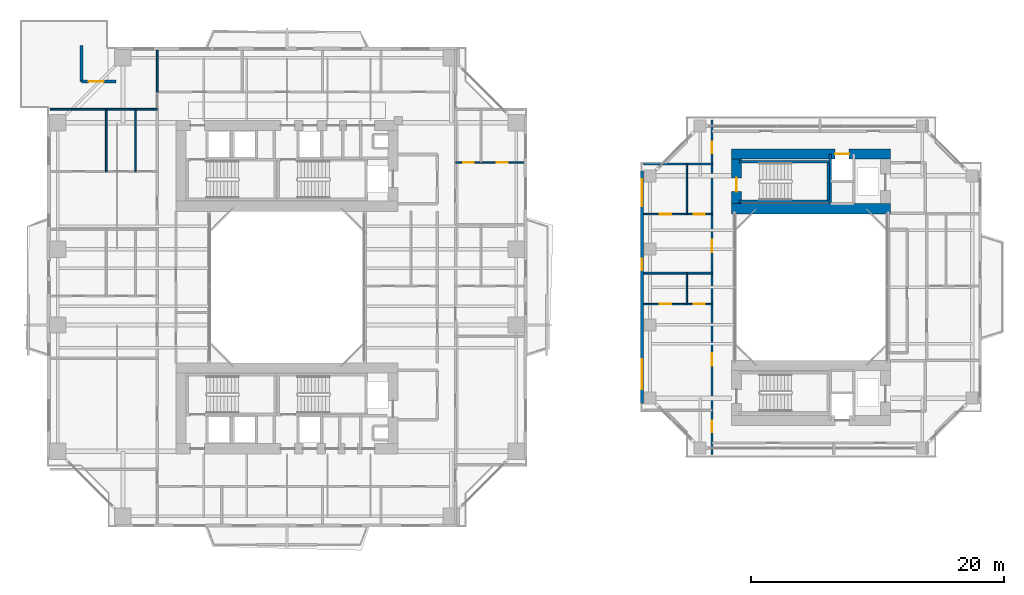
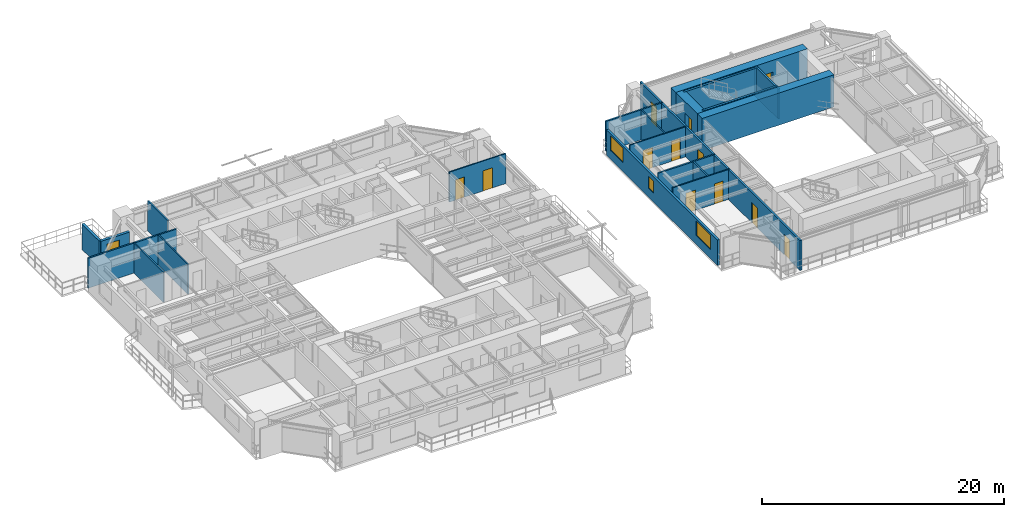
# One storey, part 16 of 24: 22 walls, 13 doors, 3 windows, 16 openings.
"""IFC4 building model written with IfcOpenShell, lengths in metres."""

from ifc_helpers import new_model, si_unit, direction, frame, frame_2d, origin, place, context, subcontext, project, spatial, rectangle, extrude, source, transform, mapped, material, layer, layer_set, type_object, element, fill, save


model = new_model("IFC4")

# Units and contexts
model_context = context("Model", 3, precision=1e-05, world=origin(), true_north=direction((0.0, 1.0)))
body_context = subcontext(model_context, "Body", "Model", "MODEL_VIEW")
ifc_project = project(units=[si_unit("LENGTHUNIT", "METRE"), si_unit("AREAUNIT", "SQUARE_METRE"), si_unit("VOLUMEUNIT", "CUBIC_METRE"), si_unit("PLANEANGLEUNIT", "RADIAN"), si_unit("MASSUNIT", "GRAM", prefix="KILO"), si_unit("THERMODYNAMICTEMPERATUREUNIT", "KELVIN"), si_unit("POWERUNIT", "WATT")], contexts=[model_context])

# Site, building, storey
site_placement = place(None, origin())
site = spatial("IfcSite", under=ifc_project, at=site_placement, CompositionType="ELEMENT")
building_placement = place(site_placement, origin())
building = spatial("IfcBuilding", under=site, at=building_placement, Name="Qiaomeng Ring Towers", CompositionType="ELEMENT")
storey_placement = place(building_placement, frame((0.0, 0.0, 42.5)))
storey = spatial("IfcBuildingStorey", under=building, at=storey_placement, Name="L11", CompositionType="ELEMENT", Elevation=42.5)

# Wall, opening, door
ifc_material_1 = material(Name="Precast concrete C40", Category="concrete")
ifc_layer_1 = layer(ifc_material_1, 0.25, Name="Precast concrete C40")
ifc_layer_set_1 = layer_set([ifc_layer_1], Name="Precast concrete C40")
wall_type_1 = type_object("IfcWallType", Name="ARC-WL-EW1", PredefinedType="STANDARD", material=ifc_layer_set_1)
wall_1_placement = place(storey_placement, frame((2.72509765625, 39.27490234375, 0.0), z_axis=(0.0, 0.0, 1.0), x_axis=(1.0, 0.0, 0.0)))
wall_1 = element("IfcWall", 1, at=wall_1_placement, inside=storey, type_object=wall_type_1, Name="L11 Spiral Terrace Wall NW", PredefinedType="STANDARD", context=body_context, shape_type="SweptSolid", body=[
    extrude(rectangle(XDim=2.724853515625, YDim=0.25, at=frame_2d((1.3623046875, 0.0))), origin(), (0.0, 0.0, 1.0), 2.570068359375),
])
opening_1_placement = place(wall_1_placement, frame((0.550048828125, 0.0, 0.0)))
opening_1 = element("IfcOpeningElement", 2, at=opening_1_placement, cuts=wall_1, Name="Opening BD1", PredefinedType="OPENING", context=body_context, shape_type="SweptSolid", body=[
    extrude(rectangle(XDim=1.199951171875, YDim=2.10009765625, at=frame_2d((0.60009765625, 1.050048828125))), frame((0.0, 0.135009765625, 0.0), z_axis=(0.0, -1.0, 0.0), x_axis=(1.0, 0.0, 0.0)), (0.0, 0.0, 1.0), 0.27001953125),
])
ifc_material_2 = material(Name="Low-E dark-grey laminated double glazing", Category="glass")
door_type_1 = type_object("IfcDoorType", Name="ARC-DR-BD1", OperationType="NOTDEFINED", PredefinedType="DOOR", material=ifc_material_2)
shared_shape_1 = source(origin(), body_context, "Body", "SweptSolid", [
    extrude(rectangle(XDim=1.199951171875, YDim=2.10009765625, at=frame_2d((0.60009765625, 1.050048828125))), frame((0.0, 0.02490234375, 0.0), z_axis=(0.0, -1.0, 0.0), x_axis=(1.0, 0.0, 0.0)), (0.0, 0.0, 1.0), 0.050048828125),
])
door_1_placement = place(opening_1_placement, frame((1.199951171875, 0.0, 0.0), z_axis=(0.0, 0.0, 1.0), x_axis=(-1.0, 0.0, 0.0)))
door_1 = element("IfcDoor", 3, at=door_1_placement, inside=storey, type_object=door_type_1, Name="L11 Spiral Sky Terrace Door NW", OperationType="SINGLE_SWING_LEFT", OverallHeight=2.10009765625, OverallWidth=1.199951171875, PredefinedType="DOOR", context=body_context, shape_type="MappedRepresentation", body=[
    mapped(shared_shape_1, transform((0.0, 0.0, 0.0), x_axis=(1.0, 0.0, 0.0), y_axis=(0.0, 1.0, 0.0), z_axis=(0.0, 0.0, 1.0), scale=1.0)),
])
fill(opening_1, door_1)

# Wall
wall_2_placement = place(storey_placement, frame((2.72509765625, 39.27490234375, 0.0), z_axis=(0.0, 0.0, 1.0), x_axis=(0.0, 1.0, 0.0)))
element("IfcWall", 4, at=wall_2_placement, inside=storey, type_object=wall_type_1, Name="L11 Spiral Terrace Return Wall NW", PredefinedType="STANDARD", context=body_context, shape_type="SweptSolid", body=[
    extrude(rectangle(XDim=2.875, YDim=0.25, at=frame_2d((1.4375, 0.0))), origin(), (0.0, 0.0, 1.0), 2.570068359375),
])

# Wall, openings, windows
ifc_layer_2 = layer(ifc_material_1, 0.219970703125, Name="Precast concrete C40")
ifc_layer_set_2 = layer_set([ifc_layer_2], Name="Precast concrete C40")
wall_type_2 = type_object("IfcWallType", Name="ARC-WL-EW2", PredefinedType="STANDARD", material=ifc_layer_set_2)
wall_3_placement = place(storey_placement, frame((47.110107421875, 13.800048828125, 0.0), z_axis=(0.0, 0.0, 1.0), x_axis=(0.0, 1.0, 0.0)))
wall_3 = element("IfcWall", 5, at=wall_3_placement, inside=storey, type_object=wall_type_2, Name="L11 Companion West Wall", PredefinedType="STANDARD", context=body_context, shape_type="SweptSolid", body=[
    extrude(rectangle(XDim=18.39990234375, YDim=0.219970703125, at=frame_2d((9.199951171875, 0.0))), origin(), (0.0, 0.0, 1.0), 2.570068359375),
])
opening_2_placement = place(wall_3_placement, frame((1.10009765625, 0.0, 0.89990234375)))
opening_2 = element("IfcOpeningElement", 6, at=opening_2_placement, cuts=wall_3, Name="Opening WN6", PredefinedType="OPENING", context=body_context, shape_type="SweptSolid", body=[
    extrude(rectangle(XDim=2.39990234375, YDim=1.47998046875, at=frame_2d((1.199951171875, 0.739990234375))), frame((0.0, 0.119873046875, 0.0), z_axis=(0.0, -1.0, 0.0), x_axis=(1.0, 0.0, 0.0)), (0.0, 0.0, 1.0), 0.239990234375),
])
opening_3_placement = place(wall_3_placement, frame((15.6201171875, 0.0, 0.89990234375)))
opening_3 = element("IfcOpeningElement", 7, at=opening_3_placement, cuts=wall_3, Name="Opening WN4", PredefinedType="OPENING", context=body_context, shape_type="SweptSolid", body=[
    extrude(rectangle(XDim=2.10009765625, YDim=1.5, at=frame_2d((1.050048828125, 0.75))), frame((0.0, 0.119873046875, 0.0), z_axis=(0.0, -1.0, 0.0), x_axis=(1.0, 0.0, 0.0)), (0.0, 0.0, 1.0), 0.239990234375),
])
opening_4_placement = place(wall_3_placement, frame((10.534912109375, 0.0, 0.89990234375)))
opening_4 = element("IfcOpeningElement", 8, at=opening_4_placement, cuts=wall_3, Name="Opening WN5", PredefinedType="OPENING", context=body_context, shape_type="SweptSolid", body=[
    extrude(rectangle(XDim=0.89990234375, YDim=1.199951171875, at=frame_2d((0.449951171875, 0.60009765625))), frame((0.0, 0.119873046875, 0.0), z_axis=(0.0, -1.0, 0.0), x_axis=(1.0, 0.0, 0.0)), (0.0, 0.0, 1.0), 0.239990234375),
])
window_type_1 = type_object("IfcWindowType", Name="ARC-WN-4", PartitioningType="TRIPLE_PANEL_VERTICAL", PredefinedType="WINDOW", material=ifc_material_2)
shared_shape_2 = source(origin(), body_context, "Body", "SweptSolid", [
    extrude(rectangle(XDim=2.10009765625, YDim=1.5, at=frame_2d((1.050048828125, 0.75))), frame((0.0, 0.030029296875, 0.0), z_axis=(0.0, -1.0, 0.0), x_axis=(1.0, 0.0, 0.0)), (0.0, 0.0, 1.0), 0.06005859375),
])
window_1_placement = place(opening_3_placement, origin())
window_1 = element("IfcWindow", 9, at=window_1_placement, inside=storey, type_object=window_type_1, Name="L11 Exterior Window WN4", OverallHeight=1.5, OverallWidth=2.10009765625, PartitioningType="TRIPLE_PANEL_VERTICAL", PredefinedType="WINDOW", context=body_context, shape_type="MappedRepresentation", body=[
    mapped(shared_shape_2, transform((0.0, 0.0, 0.0), x_axis=(1.0, 0.0, 0.0), y_axis=(0.0, 1.0, 0.0), z_axis=(0.0, 0.0, 1.0), scale=1.0)),
])
fill(opening_3, window_1)
window_type_2 = type_object("IfcWindowType", Name="ARC-WN-6", PartitioningType="TRIPLE_PANEL_VERTICAL", PredefinedType="WINDOW", material=ifc_material_2)
shared_shape_3 = source(origin(), body_context, "Body", "SweptSolid", [
    extrude(rectangle(XDim=2.39990234375, YDim=1.47998046875, at=frame_2d((1.199951171875, 0.739990234375))), frame((0.0, 0.030029296875, 0.0), z_axis=(0.0, -1.0, 0.0), x_axis=(1.0, 0.0, 0.0)), (0.0, 0.0, 1.0), 0.06005859375),
])
window_2_placement = place(opening_2_placement, origin())
window_2 = element("IfcWindow", 10, at=window_2_placement, inside=storey, type_object=window_type_2, Name="L11 Exterior Window WN6", OverallHeight=1.47998046875, OverallWidth=2.39990234375, PartitioningType="TRIPLE_PANEL_VERTICAL", PredefinedType="WINDOW", context=body_context, shape_type="MappedRepresentation", body=[
    mapped(shared_shape_3, transform((0.0, 0.0, 0.0), x_axis=(1.0, 0.0, 0.0), y_axis=(0.0, 1.0, 0.0), z_axis=(0.0, 0.0, 1.0), scale=1.0)),
])
fill(opening_2, window_2)
window_type_3 = type_object("IfcWindowType", Name="ARC-WN-5", PartitioningType="SINGLE_PANEL", PredefinedType="WINDOW", material=ifc_material_2)
shared_shape_4 = source(origin(), body_context, "Body", "SweptSolid", [
    extrude(rectangle(XDim=0.89990234375, YDim=1.199951171875, at=frame_2d((0.449951171875, 0.60009765625))), frame((0.0, 0.030029296875, 0.0), z_axis=(0.0, -1.0, 0.0), x_axis=(1.0, 0.0, 0.0)), (0.0, 0.0, 1.0), 0.06005859375),
])
window_3_placement = place(opening_4_placement, origin())
window_3 = element("IfcWindow", 11, at=window_3_placement, inside=storey, type_object=window_type_3, Name="L11 Exterior Window WN5", OverallHeight=1.199951171875, OverallWidth=0.89990234375, PartitioningType="SINGLE_PANEL", PredefinedType="WINDOW", context=body_context, shape_type="MappedRepresentation", body=[
    mapped(shared_shape_4, transform((0.0, 0.0, 0.0), x_axis=(1.0, 0.0, 0.0), y_axis=(0.0, 1.0, 0.0), z_axis=(0.0, 0.0, 1.0), scale=1.0)),
])
fill(opening_4, window_3)

# Wall, openings, doors
ifc_material_3 = material(Name="Autoclaved aerated concrete block", Category="concrete")
ifc_layer_3 = layer(ifc_material_3, 0.179931640625, Name="Autoclaved aerated concrete block")
ifc_layer_set_3 = layer_set([ifc_layer_3], Name="Autoclaved aerated concrete block")
wall_type_3 = type_object("IfcWallType", Name="ARC-WL-PW2", PredefinedType="PARTITIONING", material=ifc_layer_set_3)
wall_4_placement = place(storey_placement, frame((52.64990234375, 9.75, 0.0), z_axis=(0.0, 0.0, 1.0), x_axis=(0.0, 1.0, 0.0)))
wall_4 = element("IfcWall", 12, at=wall_4_placement, inside=storey, type_object=wall_type_3, Name="L11 Interior Wall PW2", PredefinedType="PARTITIONING", context=body_context, shape_type="SweptSolid", body=[
    extrude(rectangle(XDim=26.5, YDim=0.179931640625, at=frame_2d((13.25, 0.0))), origin(), (0.0, 0.0, 1.0), 3.030029296875),
])
opening_5_placement = place(wall_4_placement, frame((23.85009765625, 0.0, 0.0)))
opening_5 = element("IfcOpeningElement", 13, at=opening_5_placement, cuts=wall_4, Name="Opening ID1", PredefinedType="OPENING", context=body_context, shape_type="SweptSolid", body=[
    extrude(rectangle(XDim=0.89990234375, YDim=2.050048828125, at=frame_2d((0.449951171875, 1.02490234375))), frame((0.0, 0.099853515625, 0.0), z_axis=(0.0, -1.0, 0.0), x_axis=(1.0, 0.0, 0.0)), (0.0, 0.0, 1.0), 0.199951171875),
])
opening_6_placement = place(wall_4_placement, frame((1.75, 0.0, 0.0)))
opening_6 = element("IfcOpeningElement", 14, at=opening_6_placement, cuts=wall_4, Name="Opening ID1", PredefinedType="OPENING", context=body_context, shape_type="SweptSolid", body=[
    extrude(rectangle(XDim=0.89990234375, YDim=2.050048828125, at=frame_2d((0.449951171875, 1.02490234375))), frame((0.0, 0.099853515625, 0.0), z_axis=(0.0, -1.0, 0.0), x_axis=(1.0, 0.0, 0.0)), (0.0, 0.0, 1.0), 0.199951171875),
])
opening_7_placement = place(wall_4_placement, frame((7.014892578125, 0.0, 0.0)))
opening_7 = element("IfcOpeningElement", 15, at=opening_7_placement, cuts=wall_4, Name="Opening FD4", PredefinedType="OPENING", context=body_context, shape_type="SweptSolid", body=[
    extrude(rectangle(XDim=1.0, YDim=2.050048828125, at=frame_2d((0.5, 1.02490234375))), frame((0.0, 0.099853515625, 0.0), z_axis=(0.0, -1.0, 0.0), x_axis=(1.0, 0.0, 0.0)), (0.0, 0.0, 1.0), 0.199951171875),
])
opening_8_placement = place(wall_4_placement, frame((15.9951171875, 0.0, 0.0)))
opening_8 = element("IfcOpeningElement", 16, at=opening_8_placement, cuts=wall_4, Name="Opening FD4", PredefinedType="OPENING", context=body_context, shape_type="SweptSolid", body=[
    extrude(rectangle(XDim=1.0, YDim=2.050048828125, at=frame_2d((0.5, 1.02490234375))), frame((0.0, 0.099853515625, 0.0), z_axis=(0.0, -1.0, 0.0), x_axis=(1.0, 0.0, 0.0)), (0.0, 0.0, 1.0), 0.199951171875),
])
ifc_material_4 = material(Name="Engineered fire-rated oak timber", Category="wood")
door_type_2 = type_object("IfcDoorType", Name="ARC-DR-FD4", OperationType="NOTDEFINED", PredefinedType="DOOR", material=ifc_material_4)
shared_shape_5 = source(origin(), body_context, "Body", "SweptSolid", [
    extrude(rectangle(XDim=1.0, YDim=2.050048828125, at=frame_2d((0.5, 1.02490234375))), frame((0.0, 0.02490234375, 0.0), z_axis=(0.0, -1.0, 0.0), x_axis=(1.0, 0.0, 0.0)), (0.0, 0.0, 1.0), 0.050048828125),
])
door_2_placement = place(opening_7_placement, origin())
door_2 = element("IfcDoor", 17, at=door_2_placement, inside=storey, type_object=door_type_2, Name="L11 Door FD4", OperationType="SINGLE_SWING_RIGHT", OverallHeight=2.050048828125, OverallWidth=1.0, PredefinedType="DOOR", context=body_context, shape_type="MappedRepresentation", body=[
    mapped(shared_shape_5, transform((0.0, 0.0, 0.0), x_axis=(1.0, 0.0, 0.0), y_axis=(0.0, 1.0, 0.0), z_axis=(0.0, 0.0, 1.0), scale=1.0)),
])
fill(opening_7, door_2)
door_3_placement = place(opening_8_placement, origin())
door_3 = element("IfcDoor", 18, at=door_3_placement, inside=storey, type_object=door_type_2, Name="L11 Door FD4", OperationType="SINGLE_SWING_LEFT", OverallHeight=2.050048828125, OverallWidth=1.0, PredefinedType="DOOR", context=body_context, shape_type="MappedRepresentation", body=[
    mapped(shared_shape_5, transform((0.0, 0.0, 0.0), x_axis=(1.0, 0.0, 0.0), y_axis=(0.0, 1.0, 0.0), z_axis=(0.0, 0.0, 1.0), scale=1.0)),
])
fill(opening_8, door_3)
ifc_material_5 = material(Name="Engineered oak timber", Category="wood")
door_type_3 = type_object("IfcDoorType", Name="ARC-DR-ID1", OperationType="NOTDEFINED", PredefinedType="DOOR", material=ifc_material_5)
shared_shape_6 = source(origin(), body_context, "Body", "SweptSolid", [
    extrude(rectangle(XDim=0.89990234375, YDim=2.050048828125, at=frame_2d((0.449951171875, 1.02490234375))), frame((0.0, 0.02490234375, 0.0), z_axis=(0.0, -1.0, 0.0), x_axis=(1.0, 0.0, 0.0)), (0.0, 0.0, 1.0), 0.050048828125),
])
door_4_placement = place(opening_5_placement, origin())
door_4 = element("IfcDoor", 19, at=door_4_placement, inside=storey, type_object=door_type_3, Name="L11 Door ID1", OperationType="SINGLE_SWING_RIGHT", OverallHeight=2.050048828125, OverallWidth=0.89990234375, PredefinedType="DOOR", context=body_context, shape_type="MappedRepresentation", body=[
    mapped(shared_shape_6, transform((0.0, 0.0, 0.0), x_axis=(1.0, 0.0, 0.0), y_axis=(0.0, 1.0, 0.0), z_axis=(0.0, 0.0, 1.0), scale=1.0)),
])
fill(opening_5, door_4)
door_5_placement = place(opening_6_placement, origin())
door_5 = element("IfcDoor", 20, at=door_5_placement, inside=storey, type_object=door_type_3, Name="L11 Door ID1", OperationType="SINGLE_SWING_LEFT", OverallHeight=2.050048828125, OverallWidth=0.89990234375, PredefinedType="DOOR", context=body_context, shape_type="MappedRepresentation", body=[
    mapped(shared_shape_6, transform((0.0, 0.0, 0.0), x_axis=(1.0, 0.0, 0.0), y_axis=(0.0, 1.0, 0.0), z_axis=(0.0, 0.0, 1.0), scale=1.0)),
])
fill(opening_6, door_5)

# Walls
ifc_material_6 = material(Name="Gypsum fireboard steel-stud partition", Category="steel")
ifc_layer_4 = layer(ifc_material_6, 0.14990234375, Name="Gypsum fireboard steel-stud partition")
ifc_layer_set_4 = layer_set([ifc_layer_4], Name="Gypsum fireboard steel-stud partition")
wall_type_4 = type_object("IfcWallType", Name="ARC-WL-PW3", PredefinedType="PARTITIONING", material=ifc_layer_set_4)
wall_5_placement = place(storey_placement, frame((8.719970703125, 38.43994140625, 0.0), z_axis=(0.0, 0.0, 1.0), x_axis=(0.0, 1.0, 0.0)))
element("IfcWall", 21, at=wall_5_placement, inside=storey, type_object=wall_type_4, Name="L11 Interior Wall PW3", PredefinedType="PARTITIONING", context=body_context, shape_type="SweptSolid", body=[
    extrude(rectangle(XDim=3.31005859375, YDim=0.14990234375, at=frame_2d((1.655029296875, 0.0))), origin(), (0.0, 0.0, 1.0), 3.030029296875),
])
wall_6_placement = place(storey_placement, frame((0.25, 37.080078125, 0.0), z_axis=(0.0, 0.0, 1.0), x_axis=(1.0, 0.0, 0.0)))
element("IfcWall", 22, at=wall_6_placement, inside=storey, type_object=wall_type_4, Name="L11 Interior Wall PW3", PredefinedType="PARTITIONING", context=body_context, shape_type="SweptSolid", body=[
    extrude(rectangle(XDim=8.469970703125, YDim=0.14990234375, at=frame_2d((4.23486328125, 0.0))), origin(), (0.0, 0.0, 1.0), 3.030029296875),
])
for number, where, z_axis, x_axis, name in (
    (23, (47.25, 32.75, 0.0), (0.0, 0.0, 1.0), (1.0, 0.0, 0.0), "L11 Interior Wall PW3"),
    (24, (47.25, 24.10009765625, 0.0), (0.0, 0.0, 1.0), (1.0, 0.0, 0.0), "L11 Interior Wall PW3"),
):
    element("IfcWall", number, at=place(storey_placement, frame(where, z_axis=z_axis, x_axis=x_axis)), inside=storey, type_object=wall_type_4, Name=name, PredefinedType="PARTITIONING", context=body_context, shape_type="SweptSolid", body=[
        extrude(rectangle(XDim=5.39990234375, YDim=0.14990234375, at=frame_2d((2.699951171875, 0.0))), origin(), (0.0, 0.0, 1.0), 3.030029296875),
    ])
ifc_material_7 = material(Name="Moisture-resistant gypsum steel-stud partition", Category="steel")
ifc_layer_5 = layer(ifc_material_7, 0.1201171875, Name="Moisture-resistant gypsum steel-stud partition")
ifc_layer_set_5 = layer_set([ifc_layer_5], Name="Moisture-resistant gypsum steel-stud partition")
wall_type_5 = type_object("IfcWallType", Name="ARC-WL-PW4", PredefinedType="PLUMBINGWALL", material=ifc_layer_set_5)
for number, where, z_axis, x_axis, name in (
    (25, (4.679931640625, 32.139892578125, 0.0), (0.0, 0.0, 1.0), (0.0, 1.0, 0.0), "L11 Interior Wall PW4"),
    (26, (7.0, 32.139892578125, 0.0), (0.0, 0.0, 1.0), (0.0, 1.0, 0.0), "L11 Interior Wall PW4"),
):
    element("IfcWall", number, at=place(storey_placement, frame(where, z_axis=z_axis, x_axis=x_axis)), inside=storey, type_object=wall_type_5, Name=name, PredefinedType="PLUMBINGWALL", context=body_context, shape_type="SweptSolid", body=[
        extrude(rectangle(XDim=4.940185546875, YDim=0.1201171875, at=frame_2d((2.47021484375, 0.0))), origin(), (0.0, 0.0, 1.0), 3.030029296875),
    ])

# Wall, openings, doors
wall_7_placement = place(storey_placement, frame((32.35009765625, 32.8701171875, 0.0), z_axis=(0.0, 0.0, 1.0), x_axis=(1.0, 0.0, 0.0)))
wall_7 = element("IfcWall", 27, at=wall_7_placement, inside=storey, type_object=wall_type_5, Name="L11 Interior Wall PW4", PredefinedType="PLUMBINGWALL", context=body_context, shape_type="SweptSolid", body=[
    extrude(rectangle(XDim=5.39990234375, YDim=0.1201171875, at=frame_2d((2.699951171875, 0.0))), origin(), (0.0, 0.0, 1.0), 3.030029296875),
])
opening_9_placement = place(wall_7_placement, frame((0.5849609375, 0.0, 0.0)))
opening_9 = element("IfcOpeningElement", 28, at=opening_9_placement, cuts=wall_7, Name="Opening ID2", PredefinedType="OPENING", context=body_context, shape_type="SweptSolid", body=[
    extrude(rectangle(XDim=0.85009765625, YDim=2.050048828125, at=frame_2d((0.425048828125, 1.02490234375))), frame((0.0, 0.070068359375, 0.0), z_axis=(0.0, -1.0, 0.0), x_axis=(1.0, 0.0, 0.0)), (0.0, 0.0, 1.0), 0.14013671875),
])
opening_10_placement = place(wall_7_placement, frame((3.239990234375, 0.0, 0.0)))
opening_10 = element("IfcOpeningElement", 29, at=opening_10_placement, cuts=wall_7, Name="Opening ID1", PredefinedType="OPENING", context=body_context, shape_type="SweptSolid", body=[
    extrude(rectangle(XDim=0.89990234375, YDim=2.050048828125, at=frame_2d((0.449951171875, 1.02490234375))), frame((0.0, 0.070068359375, 0.0), z_axis=(0.0, -1.0, 0.0), x_axis=(1.0, 0.0, 0.0)), (0.0, 0.0, 1.0), 0.14013671875),
])
ifc_material_8 = material(Name="Moisture-resistant engineered timber", Category="wood")
door_type_4 = type_object("IfcDoorType", Name="ARC-DR-ID2", OperationType="NOTDEFINED", PredefinedType="DOOR", material=ifc_material_8)
shared_shape_7 = source(origin(), body_context, "Body", "SweptSolid", [
    extrude(rectangle(XDim=0.85009765625, YDim=2.050048828125, at=frame_2d((0.425048828125, 1.02490234375))), frame((0.0, 0.02490234375, 0.0), z_axis=(0.0, -1.0, 0.0), x_axis=(1.0, 0.0, 0.0)), (0.0, 0.0, 1.0), 0.050048828125),
])
door_6_placement = place(opening_9_placement, origin())
door_6 = element("IfcDoor", 30, at=door_6_placement, inside=storey, type_object=door_type_4, Name="L11 Door ID2", OperationType="SINGLE_SWING_RIGHT", OverallHeight=2.050048828125, OverallWidth=0.85009765625, PredefinedType="DOOR", context=body_context, shape_type="MappedRepresentation", body=[
    mapped(shared_shape_7, transform((0.0, 0.0, 0.0), x_axis=(1.0, 0.0, 0.0), y_axis=(0.0, 1.0, 0.0), z_axis=(0.0, 0.0, 1.0), scale=1.0)),
])
fill(opening_9, door_6)
door_7_placement = place(opening_10_placement, origin())
door_7 = element("IfcDoor", 31, at=door_7_placement, inside=storey, type_object=door_type_3, Name="L11 Door ID1", OperationType="SINGLE_SWING_LEFT", OverallHeight=2.050048828125, OverallWidth=0.89990234375, PredefinedType="DOOR", context=body_context, shape_type="MappedRepresentation", body=[
    mapped(shared_shape_6, transform((0.0, 0.0, 0.0), x_axis=(1.0, 0.0, 0.0), y_axis=(0.0, 1.0, 0.0), z_axis=(0.0, 0.0, 1.0), scale=1.0)),
])
fill(opening_10, door_7)

wall_8_placement = place(storey_placement, frame((47.25, 21.659912109375, 0.0), z_axis=(0.0, 0.0, 1.0), x_axis=(1.0, 0.0, 0.0)))
wall_8 = element("IfcWall", 32, at=wall_8_placement, inside=storey, type_object=wall_type_5, Name="L11 Interior Wall PW4", PredefinedType="PLUMBINGWALL", context=body_context, shape_type="SweptSolid", body=[
    extrude(rectangle(XDim=5.39990234375, YDim=0.1201171875, at=frame_2d((2.699951171875, 0.0))), origin(), (0.0, 0.0, 1.0), 3.030029296875),
])
opening_11_placement = place(wall_8_placement, frame((1.260009765625, 0.0, 0.0)))
opening_11 = element("IfcOpeningElement", 33, at=opening_11_placement, cuts=wall_8, Name="Opening ID1", PredefinedType="OPENING", context=body_context, shape_type="SweptSolid", body=[
    extrude(rectangle(XDim=0.89990234375, YDim=2.050048828125, at=frame_2d((0.449951171875, 1.02490234375))), frame((0.0, 0.070068359375, 0.0), z_axis=(0.0, -1.0, 0.0), x_axis=(1.0, 0.0, 0.0)), (0.0, 0.0, 1.0), 0.14013671875),
])
opening_12_placement = place(wall_8_placement, frame((3.965087890625, 0.0, 0.0)))
opening_12 = element("IfcOpeningElement", 34, at=opening_12_placement, cuts=wall_8, Name="Opening ID2", PredefinedType="OPENING", context=body_context, shape_type="SweptSolid", body=[
    extrude(rectangle(XDim=0.85009765625, YDim=2.050048828125, at=frame_2d((0.425048828125, 1.02490234375))), frame((0.0, 0.070068359375, 0.0), z_axis=(0.0, -1.0, 0.0), x_axis=(1.0, 0.0, 0.0)), (0.0, 0.0, 1.0), 0.14013671875),
])
door_8_placement = place(opening_12_placement, origin())
door_8 = element("IfcDoor", 35, at=door_8_placement, inside=storey, type_object=door_type_4, Name="L11 Door ID2", OperationType="SINGLE_SWING_LEFT", OverallHeight=2.050048828125, OverallWidth=0.85009765625, PredefinedType="DOOR", context=body_context, shape_type="MappedRepresentation", body=[
    mapped(shared_shape_7, transform((0.0, 0.0, 0.0), x_axis=(1.0, 0.0, 0.0), y_axis=(0.0, 1.0, 0.0), z_axis=(0.0, 0.0, 1.0), scale=1.0)),
])
fill(opening_12, door_8)
door_9_placement = place(opening_11_placement, origin())
door_9 = element("IfcDoor", 36, at=door_9_placement, inside=storey, type_object=door_type_3, Name="L11 Door ID1", OperationType="SINGLE_SWING_RIGHT", OverallHeight=2.050048828125, OverallWidth=0.89990234375, PredefinedType="DOOR", context=body_context, shape_type="MappedRepresentation", body=[
    mapped(shared_shape_6, transform((0.0, 0.0, 0.0), x_axis=(1.0, 0.0, 0.0), y_axis=(0.0, 1.0, 0.0), z_axis=(0.0, 0.0, 1.0), scale=1.0)),
])
fill(opening_11, door_9)

# Wall
wall_9_placement = place(storey_placement, frame((50.64990234375, 21.659912109375, 0.0), z_axis=(0.0, 0.0, 1.0), x_axis=(0.0, 1.0, 0.0)))
element("IfcWall", 37, at=wall_9_placement, inside=storey, type_object=wall_type_5, Name="L11 Interior Wall PW4", PredefinedType="PLUMBINGWALL", context=body_context, shape_type="SweptSolid", body=[
    extrude(rectangle(XDim=2.440185546875, YDim=0.1201171875, at=frame_2d((1.22021484375, 0.0))), origin(), (0.0, 0.0, 1.0), 3.030029296875),
])

# Wall, openings, doors
wall_10_placement = place(storey_placement, frame((47.25, 28.77001953125, 0.0), z_axis=(0.0, 0.0, 1.0), x_axis=(1.0, 0.0, 0.0)))
wall_10 = element("IfcWall", 38, at=wall_10_placement, inside=storey, type_object=wall_type_5, Name="L11 Interior Wall PW4", PredefinedType="PLUMBINGWALL", context=body_context, shape_type="SweptSolid", body=[
    extrude(rectangle(XDim=5.39990234375, YDim=0.1201171875, at=frame_2d((2.699951171875, 0.0))), origin(), (0.0, 0.0, 1.0), 3.030029296875),
])
opening_13_placement = place(wall_10_placement, frame((1.260009765625, 0.0, 0.0)))
opening_13 = element("IfcOpeningElement", 39, at=opening_13_placement, cuts=wall_10, Name="Opening ID1", PredefinedType="OPENING", context=body_context, shape_type="SweptSolid", body=[
    extrude(rectangle(XDim=0.89990234375, YDim=2.050048828125, at=frame_2d((0.449951171875, 1.02490234375))), frame((0.0, 0.070068359375, 0.0), z_axis=(0.0, -1.0, 0.0), x_axis=(1.0, 0.0, 0.0)), (0.0, 0.0, 1.0), 0.14013671875),
])
opening_14_placement = place(wall_10_placement, frame((3.965087890625, 0.0, 0.0)))
opening_14 = element("IfcOpeningElement", 40, at=opening_14_placement, cuts=wall_10, Name="Opening ID2", PredefinedType="OPENING", context=body_context, shape_type="SweptSolid", body=[
    extrude(rectangle(XDim=0.85009765625, YDim=2.050048828125, at=frame_2d((0.425048828125, 1.02490234375))), frame((0.0, 0.070068359375, 0.0), z_axis=(0.0, -1.0, 0.0), x_axis=(1.0, 0.0, 0.0)), (0.0, 0.0, 1.0), 0.14013671875),
])
door_10_placement = place(opening_14_placement, origin())
door_10 = element("IfcDoor", 41, at=door_10_placement, inside=storey, type_object=door_type_4, Name="L11 Door ID2", OperationType="SINGLE_SWING_LEFT", OverallHeight=2.050048828125, OverallWidth=0.85009765625, PredefinedType="DOOR", context=body_context, shape_type="MappedRepresentation", body=[
    mapped(shared_shape_7, transform((0.0, 0.0, 0.0), x_axis=(1.0, 0.0, 0.0), y_axis=(0.0, 1.0, 0.0), z_axis=(0.0, 0.0, 1.0), scale=1.0)),
])
fill(opening_14, door_10)
door_11_placement = place(opening_13_placement, origin())
door_11 = element("IfcDoor", 42, at=door_11_placement, inside=storey, type_object=door_type_3, Name="L11 Door ID1", OperationType="SINGLE_SWING_RIGHT", OverallHeight=2.050048828125, OverallWidth=0.89990234375, PredefinedType="DOOR", context=body_context, shape_type="MappedRepresentation", body=[
    mapped(shared_shape_6, transform((0.0, 0.0, 0.0), x_axis=(1.0, 0.0, 0.0), y_axis=(0.0, 1.0, 0.0), z_axis=(0.0, 0.0, 1.0), scale=1.0)),
])
fill(opening_13, door_11)

# Walls
wall_11_placement = place(storey_placement, frame((50.64990234375, 28.77001953125, 0.0), z_axis=(0.0, 0.0, 1.0), x_axis=(0.0, 1.0, 0.0)))
element("IfcWall", 43, at=wall_11_placement, inside=storey, type_object=wall_type_5, Name="L11 Interior Wall PW4", PredefinedType="PLUMBINGWALL", context=body_context, shape_type="SweptSolid", body=[
    extrude(rectangle(XDim=3.97998046875, YDim=0.1201171875, at=frame_2d((1.989990234375, 0.0))), origin(), (0.0, 0.0, 1.0), 3.030029296875),
])
ifc_material_9 = material(Name="Concrete C40", Category="concrete")
ifc_layer_6 = layer(ifc_material_9, 0.199951171875, Name="Concrete C40")
ifc_layer_set_6 = layer_set([ifc_layer_6], Name="Concrete C40")
wall_type_6 = type_object("IfcWallType", Name="STR-WL-STSHAFT", PredefinedType="SHEAR", material=ifc_layer_set_6)
wall_12_placement = place(storey_placement, frame((62.02001953125, 29.60009765625, 0.0), z_axis=(0.0, 0.0, 1.0), x_axis=(0.0, 1.0, 0.0)))
element("IfcWall", 44, at=wall_12_placement, inside=storey, type_object=wall_type_6, Name="L11 Companion Lift Shaft West Wall N", PredefinedType="SHEAR", context=body_context, shape_type="SweptSolid", body=[
    extrude(rectangle(XDim=3.949951171875, YDim=0.179931640625, at=frame_2d((1.97509765625, 0.0))), origin(), (0.0, 0.0, 1.0), 3.030029296875),
])
for number, where, z_axis, x_axis, name in (
    (45, (54.800048828125, 29.800048828125, 0.0), (0.0, 0.0, 1.0), (1.0, 0.0, 0.0), "L11 Stair ST5 South Shaft Shear Wall"),
    (46, (54.800048828125, 32.93994140625, 0.0), (0.0, 0.0, 1.0), (1.0, 0.0, 0.0), "L11 Stair ST5 North Shaft Shear Wall"),
):
    element("IfcWall", number, at=place(storey_placement, frame(where, z_axis=z_axis, x_axis=x_axis)), inside=storey, type_object=wall_type_6, Name=name, PredefinedType="SHEAR", context=body_context, shape_type="SweptSolid", body=[
        extrude(rectangle(XDim=7.14990234375, YDim=0.199951171875, at=frame_2d((3.574951171875, 0.0))), origin(), (0.0, 0.0, 1.0), 3.25),
    ])
wall_13_placement = place(storey_placement, frame((61.85009765625, 29.89990234375, 0.0), z_axis=(0.0, 0.0, 1.0), x_axis=(0.0, 1.0, 0.0)))
element("IfcWall", 47, at=wall_13_placement, inside=storey, type_object=wall_type_6, Name="L11 Stair ST5 East Shaft Shear Wall", PredefinedType="SHEAR", context=body_context, shape_type="SweptSolid", body=[
    extrude(rectangle(XDim=2.940185546875, YDim=0.199951171875, at=frame_2d((1.47021484375, 0.0))), origin(), (0.0, 0.0, 1.0), 3.25),
])
ifc_material_10 = material(Name="Concrete C60", Category="concrete")
ifc_layer_7 = layer(ifc_material_10, 0.800048828125, Name="Concrete C60")
ifc_layer_set_7 = layer_set([ifc_layer_7], Name="Concrete C60")
wall_type_7 = type_object("IfcWallType", Name="STR-WL-SW1", PredefinedType="SHEAR", material=ifc_layer_set_7)
wall_14_placement = place(storey_placement, frame((54.199951171875, 29.199951171875, 0.0), z_axis=(0.0, 0.0, 1.0), x_axis=(1.0, 0.0, 0.0)))
element("IfcWall", 48, at=wall_14_placement, inside=storey, type_object=wall_type_7, Name="L11 T2NC south core shear wall", PredefinedType="SHEAR", context=body_context, shape_type="SweptSolid", body=[
    extrude(rectangle(XDim=12.60009765625, YDim=0.800048828125, at=frame_2d((6.300048828125, 0.0))), origin(), (0.0, 0.0, 1.0), 3.25),
])

# Wall, opening, door
wall_15_placement = place(storey_placement, frame((54.199951171875, 33.550048828125, 0.0), z_axis=(0.0, 0.0, 1.0), x_axis=(1.0, 0.0, 0.0)))
wall_15 = element("IfcWall", 49, at=wall_15_placement, inside=storey, type_object=wall_type_7, Name="L11 T2NC north core shear wall", PredefinedType="SHEAR", context=body_context, shape_type="SweptSolid", body=[
    extrude(rectangle(XDim=12.60009765625, YDim=0.800048828125, at=frame_2d((6.300048828125, 0.0))), origin(), (0.0, 0.0, 1.0), 3.25),
])
opening_15_placement = place(wall_15_placement, frame((8.199951171875, 0.0, 0.0)))
opening_15 = element("IfcOpeningElement", 50, at=opening_15_placement, cuts=wall_15, Name="Opening LD1", PredefinedType="OPENING", context=body_context, shape_type="SweptSolid", body=[
    extrude(rectangle(XDim=1.10009765625, YDim=2.050048828125, at=frame_2d((0.550048828125, 1.02490234375))), frame((0.0, 0.409912109375, 0.0), z_axis=(0.0, -1.0, 0.0), x_axis=(1.0, 0.0, 0.0)), (0.0, 0.0, 1.0), 0.820068359375),
])
ifc_material_11 = material(Name="Stainless steel 316", Category="steel")
door_type_5 = type_object("IfcDoorType", Name="ARC-DR-LD1", OperationType="NOTDEFINED", PredefinedType="DOOR", material=ifc_material_11)
shared_shape_8 = source(origin(), body_context, "Body", "SweptSolid", [
    extrude(rectangle(XDim=1.10009765625, YDim=2.050048828125, at=frame_2d((0.550048828125, 1.02490234375))), frame((0.0, 0.02490234375, 0.0), z_axis=(0.0, -1.0, 0.0), x_axis=(1.0, 0.0, 0.0)), (0.0, 0.0, 1.0), 0.050048828125),
])
door_12_placement = place(opening_15_placement, origin())
door_12 = element("IfcDoor", 51, at=door_12_placement, inside=storey, type_object=door_type_5, Name="L11 Companion Lift LP7 Landing Door", OperationType="SLIDING_TO_LEFT", OverallHeight=2.050048828125, OverallWidth=1.10009765625, PredefinedType="DOOR", context=body_context, shape_type="MappedRepresentation", body=[
    mapped(shared_shape_8, transform((0.0, 0.0, 0.0), x_axis=(1.0, 0.0, 0.0), y_axis=(0.0, 1.0, 0.0), z_axis=(0.0, 0.0, 1.0), scale=1.0)),
])
fill(opening_15, door_12)

wall_16_placement = place(storey_placement, frame((54.60009765625, 29.60009765625, 0.0), z_axis=(0.0, 0.0, 1.0), x_axis=(0.0, 1.0, 0.0)))
wall_16 = element("IfcWall", 52, at=wall_16_placement, inside=storey, type_object=wall_type_7, Name="L11 T2NC west core shear wall", PredefinedType="SHEAR", context=body_context, shape_type="SweptSolid", body=[
    extrude(rectangle(XDim=3.5498046875, YDim=0.800048828125, at=frame_2d((1.77490234375, 0.0))), origin(), (0.0, 0.0, 1.0), 3.25),
])
opening_16_placement = place(wall_16_placement, frame((0.949951171875, 0.0, 0.0)))
opening_16 = element("IfcOpeningElement", 53, at=opening_16_placement, cuts=wall_16, Name="Opening FD3", PredefinedType="OPENING", context=body_context, shape_type="SweptSolid", body=[
    extrude(rectangle(XDim=1.10009765625, YDim=2.050048828125, at=frame_2d((0.550048828125, 1.02490234375))), frame((0.0, 0.409912109375, 0.0), z_axis=(0.0, -1.0, 0.0), x_axis=(1.0, 0.0, 0.0)), (0.0, 0.0, 1.0), 0.820068359375),
])
ifc_material_12 = material(Name="Galvanised steel", Category="steel")
door_type_6 = type_object("IfcDoorType", Name="ARC-DR-FD3", OperationType="NOTDEFINED", PredefinedType="DOOR", material=ifc_material_12)
door_13_placement = place(opening_16_placement, origin())
door_13 = element("IfcDoor", 54, at=door_13_placement, inside=storey, type_object=door_type_6, Name="L11 Stair ST5 Exit Door", OperationType="SINGLE_SWING_LEFT", OverallHeight=2.050048828125, OverallWidth=1.10009765625, PredefinedType="DOOR", context=body_context, shape_type="MappedRepresentation", body=[
    mapped(shared_shape_8, transform((0.0, 0.0, 0.0), x_axis=(1.0, 0.0, 0.0), y_axis=(0.0, 1.0, 0.0), z_axis=(0.0, 0.0, 1.0), scale=1.0)),
])
fill(opening_16, door_13)

save(model, "model.ifc")
